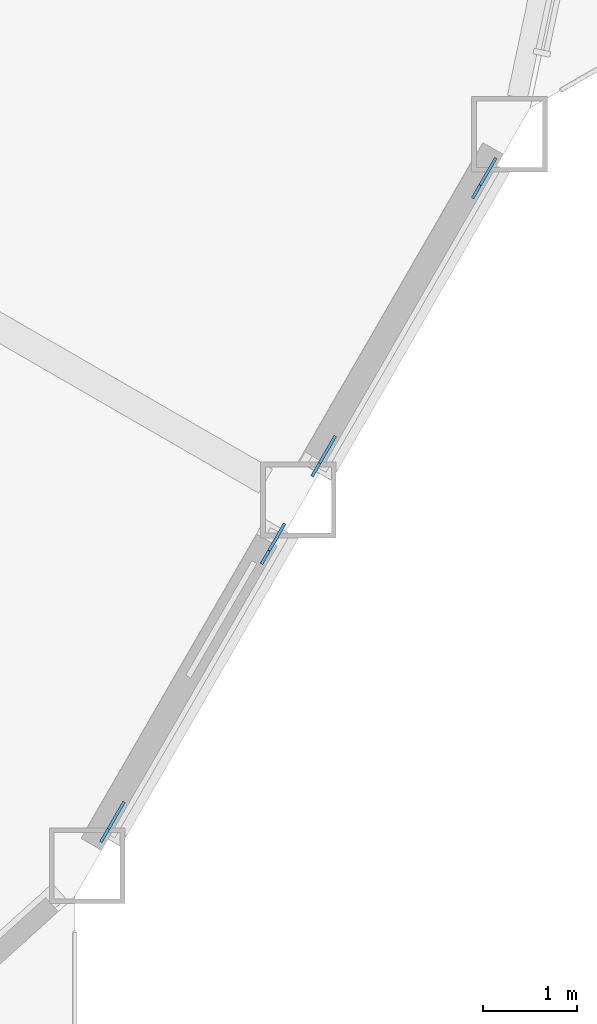
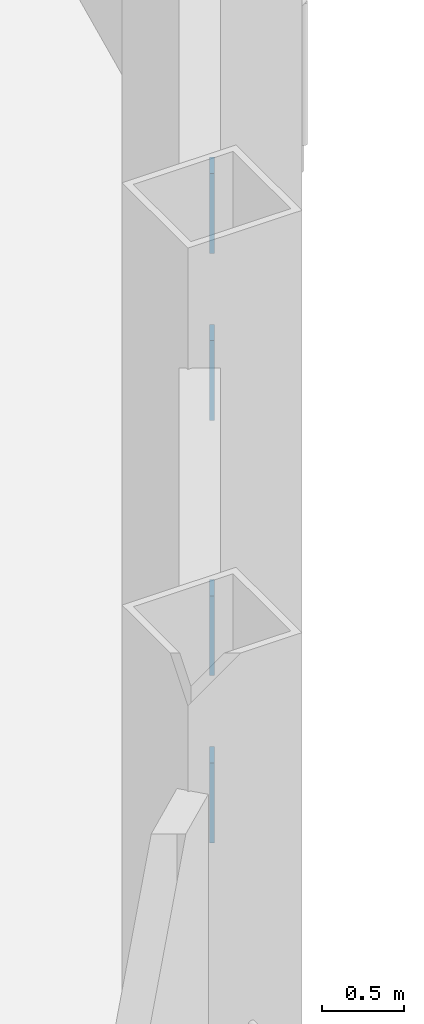
# One storey, part 16 of 22: 4 discrete accessories.
"""IFC4 building model written with IfcOpenShell, lengths in metres."""

from ifc_helpers import new_model, si_unit, direction, frame, origin, origin_2d, place, context, subcontext, project, spatial, rectangle, extrude, material, material_profile, profile_set, type_object, element, save


model = new_model("IFC4")

# Units and contexts
model_context = context("Model", 3, precision=1e-05, world=origin(), true_north=direction((0.0, 1.0)))
body_context = subcontext(model_context, "Body", "Model", "MODEL_VIEW")
ifc_project = project(units=[si_unit("LENGTHUNIT", "METRE"), si_unit("AREAUNIT", "SQUARE_METRE"), si_unit("VOLUMEUNIT", "CUBIC_METRE"), si_unit("PLANEANGLEUNIT", "RADIAN"), si_unit("MASSUNIT", "GRAM", prefix="KILO")], contexts=[model_context])

# Site, building, storey
site_placement = place(None, origin())
site = spatial("IfcSite", under=ifc_project, at=site_placement, CompositionType="ELEMENT")
building_placement = place(site_placement, origin())
building = spatial("IfcBuilding", under=site, at=building_placement, Name="Cormorant Prow Tower", CompositionType="ELEMENT")
storey_placement = place(building_placement, frame((0.0, 0.0, 190.800048828125)))
storey = spatial("IfcBuildingStorey", under=building, at=storey_placement, Name="L41", CompositionType="ELEMENT", Elevation=190.800048828125)

# Discrete accessories
ifc_material = material(Name="Structural steel ASTM A500 Gr C", Category="steel")
ifc_material_profile = material_profile(ifc_material, rectangle(XDim=0.031982421875, YDim=0.506103515625, at=origin_2d()), Name="Gusset plate 32x506")
ifc_profile_set = profile_set([ifc_material_profile], Name="Structural steel ASTM A500 Gr C")
discrete_accessory_type = type_object("IfcDiscreteAccessoryType", Name="Gusset plate 32x506", PredefinedType="BRACKET", material=ifc_profile_set)
for number, where, z_axis, x_axis, name in (
    (1, (27.7080078125, -16.807373046875, 0.83544921875), (0.4742777402, 0.820918970906, -0.31804507284), (-0.86587923604, 0.500253084543, 0.0), "Gusset plate GP2 L41.ESE00.g0"),
    (2, (26.17431640625, -19.463623046875, 1.865234375), (-0.473631655621, -0.821008039272, 0.31877712315), (0.866197837791, -0.499701216534, 0.0), "Gusset plate GP2 L41.ESE00.g1"),
):
    element("IfcDiscreteAccessory", number, at=place(storey_placement, frame(where, z_axis=z_axis, x_axis=x_axis)), inside=storey, type_object=discrete_accessory_type, Name=name, PredefinedType="BRACKET", context=body_context, shape_type="SweptSolid", body=[
        extrude(rectangle(XDim=0.031982421875, YDim=0.506103515625, at=origin_2d()), origin(), (0.0, 0.0, 1.0), 0.35009765625),
    ])
discrete_accessory_1_placement = place(storey_placement, frame((29.943359375, -12.935791015625, 0.83544921875), z_axis=(0.47373689254, 0.821190460264, -0.318150254784), x_axis=(-0.866197837791, 0.499701216534, 0.0)))
element("IfcDiscreteAccessory", 3, at=discrete_accessory_1_placement, inside=storey, type_object=discrete_accessory_type, Name="Gusset plate GP2 L41.ESE01.g0", PredefinedType="BRACKET", context=body_context, shape_type="SweptSolid", body=[
    extrude(rectangle(XDim=0.031982421875, YDim=0.506103515625, at=origin_2d()), origin(), (0.0, 0.0, 1.0), 0.349853515625),
])
discrete_accessory_2_placement = place(storey_placement, frame((28.40966796875, -15.59228515625, 1.865234375), z_axis=(-0.474172452765, -0.820736730742, 0.318671780755), x_axis=(0.86587923604, -0.500253084543, 0.0)))
element("IfcDiscreteAccessory", 4, at=discrete_accessory_2_placement, inside=storey, type_object=discrete_accessory_type, Name="Gusset plate GP2 L41.ESE01.g1", PredefinedType="BRACKET", context=body_context, shape_type="SweptSolid", body=[
    extrude(rectangle(XDim=0.031982421875, YDim=0.506103515625, at=origin_2d()), origin(), (0.0, 0.0, 1.0), 0.35009765625),
])

save(model, "model.ifc")
